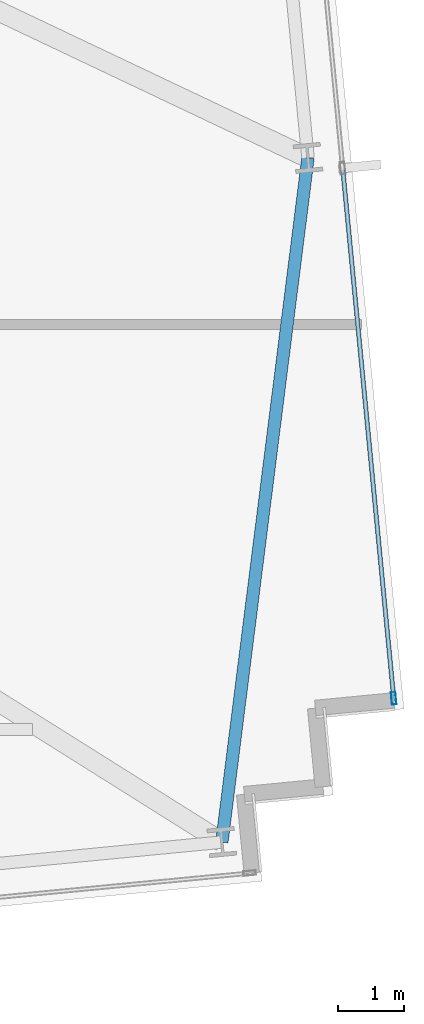
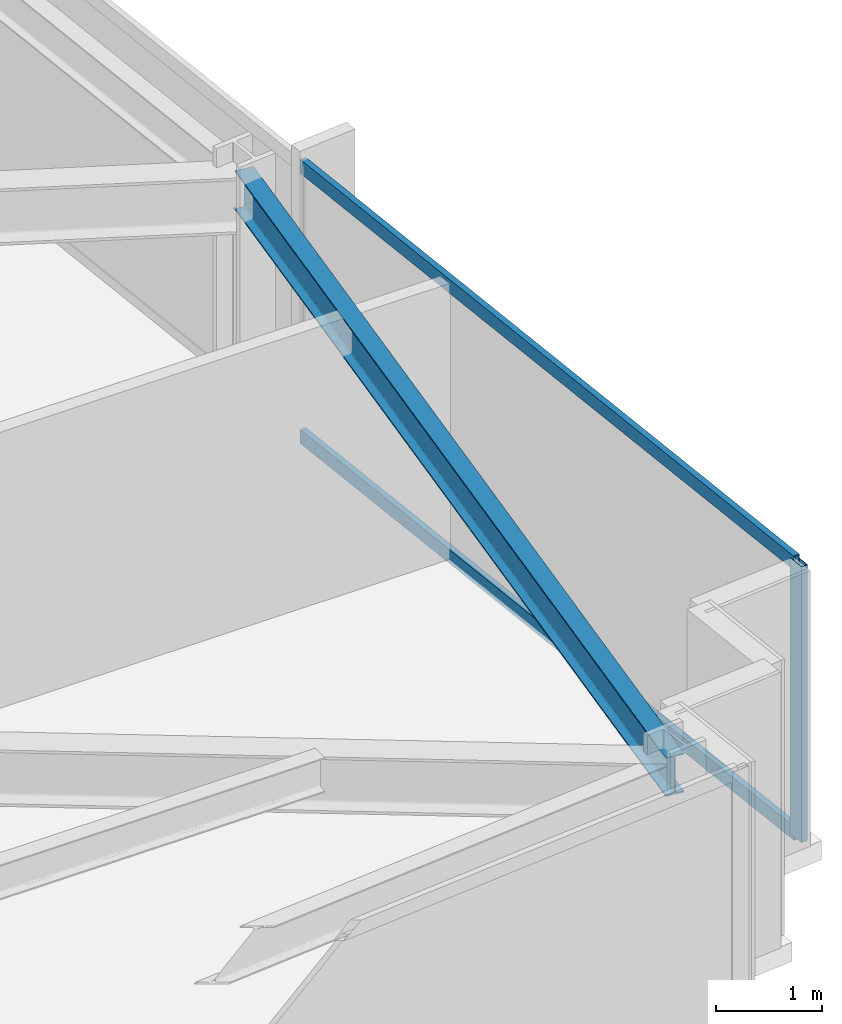
# One storey, part 14 of 32: 3 members, 1 beam, 1 element without a shape of its own.
"""IFC4 building model written with IfcOpenShell, lengths in metres."""

from ifc_helpers import new_model, si_unit, direction, frame, origin, origin_2d, place, context, subcontext, project, spatial, hollow_rectangle, i_section, extrude, material, material_profile, profile_set, type_object, element, aggregate, save


model = new_model("IFC4")

# Units and contexts
model_context = context("Model", 3, precision=1e-05, world=origin(), true_north=direction((0.0, 1.0)))
body_context = subcontext(model_context, "Body", "Model", "MODEL_VIEW")
ifc_project = project(units=[si_unit("LENGTHUNIT", "METRE"), si_unit("AREAUNIT", "SQUARE_METRE"), si_unit("VOLUMEUNIT", "CUBIC_METRE"), si_unit("PLANEANGLEUNIT", "RADIAN"), si_unit("MASSUNIT", "GRAM", prefix="KILO")], contexts=[model_context])

# Site, building, storey
site_placement = place(None, origin())
site = spatial("IfcSite", under=ifc_project, at=site_placement, CompositionType="ELEMENT")
building_placement = place(site_placement, origin())
building = spatial("IfcBuilding", under=site, at=building_placement, Name="Yelkora Congress Tower", CompositionType="ELEMENT")
storey_placement = place(building_placement, frame((0.0, 0.0, 103.300048828125)))
storey = spatial("IfcBuildingStorey", under=building, at=storey_placement, Name="L27", CompositionType="ELEMENT", Elevation=103.300048828125)

# Beam
ifc_material_1 = material(Name="Steel S355J2", Category="steel")
ifc_material_profile_1 = material_profile(ifc_material_1, i_section(OverallWidth=0.18994140625, OverallDepth=0.449951171875, WebThickness=0.009521484375, FlangeThickness=0.0146484375, FilletRadius=0.02099609375, at=origin_2d()), Name="IPE 450")
ifc_profile_set_1 = profile_set([ifc_material_profile_1], Name="Steel S355J2")
beam_type = type_object("IfcBeamType", Name="BM-SPAN-IPE450", PredefinedType="SPANDREL", material=ifc_profile_set_1)
beam_placement = place(storey_placement, frame((74.73193359375, 14.43505859375, 2.954833984375), z_axis=(0.124929198684, 0.99216565921, 0.0), x_axis=(-0.99216565921, 0.124929198684, 0.0)))
element("IfcBeam", 1, at=beam_placement, inside=storey, type_object=beam_type, Name="L27 Perimeter Beam 10", PredefinedType="SPANDREL", context=body_context, shape_type="SweptSolid", body=[
    extrude(i_section(OverallWidth=0.18994140625, OverallDepth=0.449951171875, WebThickness=0.009521484375, FlangeThickness=0.0146484375, FilletRadius=0.02099609375, at=origin_2d()), origin(), (0.0, 0.0, 1.0), 10.48046875),
])

# Curtain wall, members
ifc_material_2 = material(Name="Anodised aluminium and insulated glass", Category="aluminium")
curtain_wall_type = type_object("IfcCurtainWallType", Name="CW-SYS-B2", PredefinedType="NOTDEFINED", material=ifc_material_2)
curtain_wall_placement = place(storey_placement, origin())
curtain_wall = element("IfcCurtainWall", 2, at=curtain_wall_placement, inside=storey, type_object=curtain_wall_type, Name="L27 Unitised Curtain Wall 15", PredefinedType="NOTDEFINED")
ifc_material_3 = material(Name="Anodised aluminium 6063-T6", Category="aluminium")
ifc_material_profile_2 = material_profile(ifc_material_3, hollow_rectangle(XDim=0.070068359375, YDim=0.18994140625, WallThickness=0.00390625, at=origin_2d()), Name="ALU 70x190x4")
ifc_profile_set_2 = profile_set([ifc_material_profile_2], Name="Anodised aluminium 6063-T6")
member_type_1 = type_object("IfcMemberType", Name="MEM-ML-B2", PredefinedType="MULLION", material=ifc_profile_set_2)
member_1_placement = place(storey_placement, frame((77.34423828125, 16.62060546875, 0.0), z_axis=(0.0, 0.0, 1.0), x_axis=(0.995396507508, 0.095842541913, 0.0)))
member_1 = element("IfcMember", 3, at=member_1_placement, type_object=member_type_1, Name="CW-B2 mullion 5", PredefinedType="MULLION", context=body_context, shape_type="SweptSolid", body=[
    extrude(hollow_rectangle(XDim=0.070068359375, YDim=0.18994140625, WallThickness=0.00390625, at=origin_2d()), origin(), (0.0, 0.0, 1.0), 3.179931640625),
])
ifc_material_profile_3 = material_profile(ifc_material_3, hollow_rectangle(XDim=0.06494140625, YDim=0.159912109375, WallThickness=0.00390625, at=origin_2d()), Name="ALU 65x160x4")
ifc_profile_set_3 = profile_set([ifc_material_profile_3], Name="Anodised aluminium 6063-T6")
member_type_2 = type_object("IfcMemberType", Name="MEM-TR-B2", PredefinedType="USERDEFINED", material=ifc_profile_set_3)
member_2_placement = place(storey_placement, frame((76.57177734375, 24.6435546875, 0.032470703125), z_axis=(0.095858482834, -0.995394972495, 0.0), x_axis=(0.995394972495, 0.095858482834, 0.0)))
member_2 = element("IfcMember", 4, at=member_2_placement, type_object=member_type_2, Name="CW-B2 transom 4.1", ObjectType="TRANSOM", PredefinedType="USERDEFINED", context=body_context, shape_type="SweptSolid", body=[
    extrude(hollow_rectangle(XDim=0.06494140625, YDim=0.159912109375, WallThickness=0.00390625, at=origin_2d()), origin(), (0.0, 0.0, 1.0), 8.025146484375),
])
member_3_placement = place(storey_placement, frame((76.57177734375, 24.6435546875, 3.1474609375), z_axis=(0.095858482834, -0.995394972495, 0.0), x_axis=(0.995394972495, 0.095858482834, 0.0)))
member_3 = element("IfcMember", 5, at=member_3_placement, type_object=member_type_2, Name="CW-B2 transom 4.2", ObjectType="TRANSOM", PredefinedType="USERDEFINED", context=body_context, shape_type="SweptSolid", body=[
    extrude(hollow_rectangle(XDim=0.06494140625, YDim=0.159912109375, WallThickness=0.00390625, at=origin_2d()), origin(), (0.0, 0.0, 1.0), 8.025146484375),
])
aggregate(curtain_wall, [member_1, member_2, member_3])

save(model, "model.ifc")
